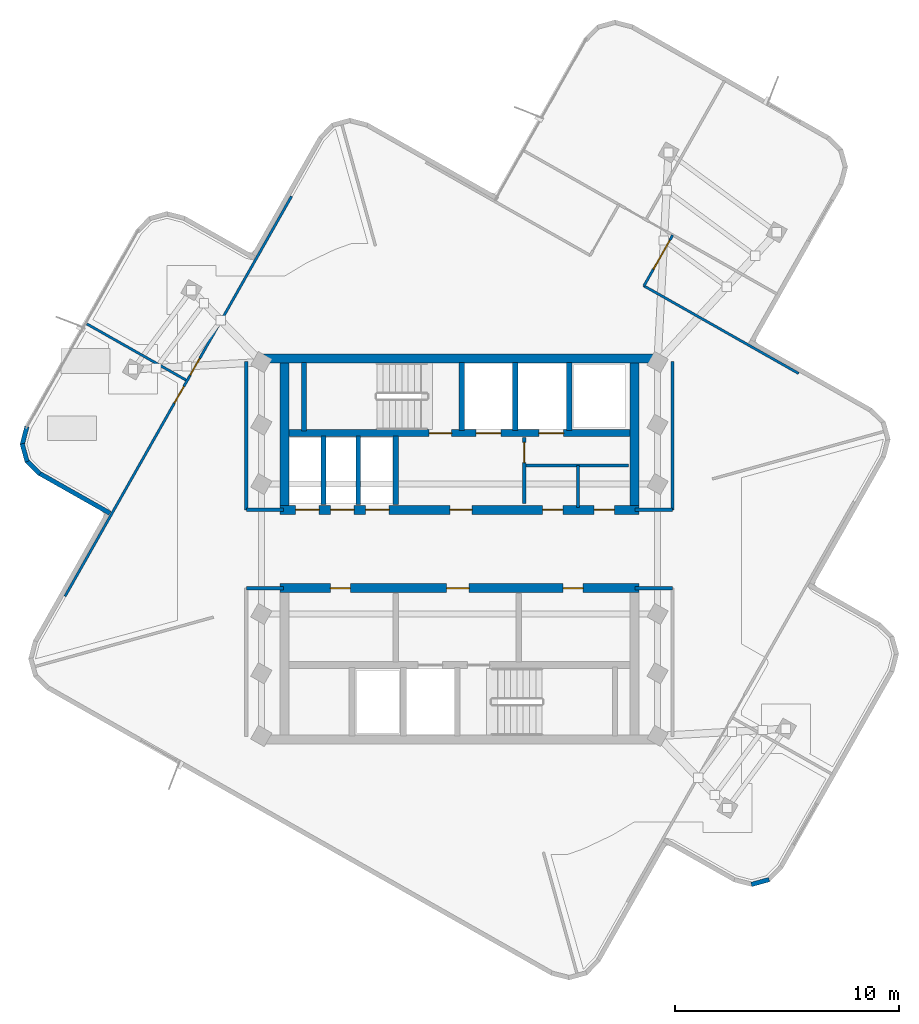
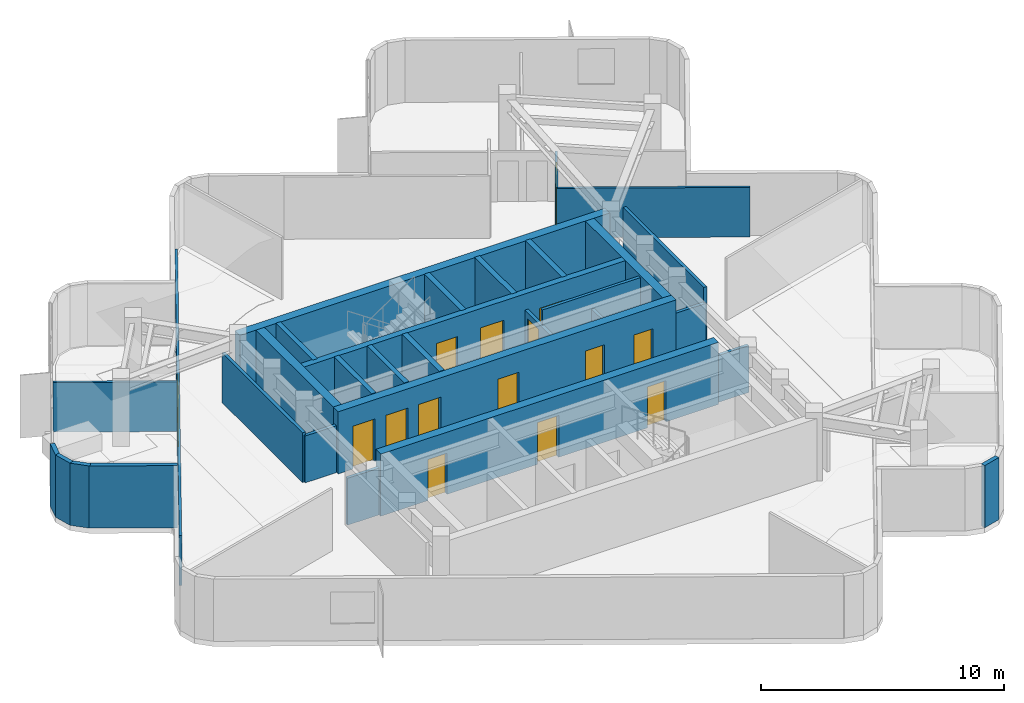
# One storey, part 6 of 11: 31 walls, 16 doors, 16 openings.
"""IFC4 building model written with IfcOpenShell, lengths in metres."""

import ifcopenshell
import ifcopenshell.guid

model = None  # the IFC model being written
_history = None  # IfcOwnerHistory: only IFC2X3 demands one
_inside = {}  # id of a spatial element -> (the spatial element, [elements in it])
_under = {}  # id of a project, library or spatial element -> (it, [spatial elements below it])
_declared = {}  # id of a project -> (the project, [libraries it declares])
_typed = {}  # id of a type object -> (the type object, [elements of that type])
_made_of = {}  # id of a material, layer set ... -> (it, [elements and type objects made of it])


def new_model(schema):
    """Start an empty IFC model of exactly this schema.

    Asked for "IFC4X3", IfcOpenShell would pick the latest addendum, in which some entities
    have other attributes; the version numbers below select the first issue.
    IFC2X3 requires an IfcOwnerHistory on every rooted entity: one is made here for all.
    """
    global model, _history
    if schema == "IFC4X3":
        model = ifcopenshell.file(schema_version=(4, 3, 0, 0))
    else:
        model = ifcopenshell.file(schema=schema)
    _inside.clear()
    _under.clear()
    _declared.clear()
    _typed.clear()
    _made_of.clear()
    _history = None
    if model.schema == "IFC2X3":
        org = make("IfcOrganization", Name="unknown")
        user = make(
            "IfcPersonAndOrganization",
            ThePerson=make("IfcPerson", FamilyName="unknown"),
            TheOrganization=org,
        )
        app = make(
            "IfcApplication",
            ApplicationDeveloper=org,
            Version="unknown",
            ApplicationFullName="unknown",
            ApplicationIdentifier="unknown",
        )
        _history = make(
            "IfcOwnerHistory",
            OwningUser=user,
            OwningApplication=app,
            ChangeAction="ADDED",
            CreationDate=0,
        )
    return model


def make(cls, **values):
    """One entity of the class cls with the attributes given. An attribute that is None is left unset."""
    return model.create_entity(
        cls, **{name: value for name, value in values.items() if value is not None}
    )


def rooted(cls, **values):
    """An entity with a GlobalId (a new one), such as an element, a storey or a relation."""
    return make(cls, GlobalId=ifcopenshell.guid.new(), OwnerHistory=_history, **values)


def si_unit(unit_type, name, prefix=None):
    """IfcSIUnit, for example si_unit("LENGTHUNIT", "METRE", prefix="MILLI")."""
    return make("IfcSIUnit", UnitType=unit_type, Prefix=prefix, Name=name)


def assignment(units):
    """IfcUnitAssignment: the units of a project."""
    return None if units is None else make("IfcUnitAssignment", Units=units)


def point(xyz):
    """IfcCartesianPoint."""
    return None if xyz is None else make("IfcCartesianPoint", Coordinates=xyz)


def direction(xyz):
    """IfcDirection."""
    return None if xyz is None else make("IfcDirection", DirectionRatios=xyz)


def frame(location, z_axis=None, x_axis=None):
    """IfcAxis2Placement3D, a coordinate frame: its origin and axes. An axis left out is left unset."""
    return make(
        "IfcAxis2Placement3D",
        Location=point(location),
        Axis=direction(z_axis),
        RefDirection=direction(x_axis),
    )


def frame_2d(location, x_axis=None):
    """IfcAxis2Placement2D, a coordinate frame in the plane: its origin and x axis."""
    return make(
        "IfcAxis2Placement2D", Location=point(location), RefDirection=direction(x_axis)
    )


def origin():
    """The frame at (0, 0, 0) with its axes left unset."""
    return frame((0.0, 0.0, 0.0))


def place(relative_to, where):
    """IfcLocalPlacement: puts the frame where relative to a parent placement (None: the world)."""
    return make(
        "IfcLocalPlacement", PlacementRelTo=relative_to, RelativePlacement=where
    )


def context(
    kind, dimensions, precision=None, world=None, true_north=None, identifier=None
):
    """IfcGeometricRepresentationContext, for example the 3D "Model" context."""
    return make(
        "IfcGeometricRepresentationContext",
        ContextIdentifier=identifier,
        ContextType=kind,
        CoordinateSpaceDimension=dimensions,
        Precision=precision,
        WorldCoordinateSystem=world,
        TrueNorth=true_north,
    )


def subcontext(parent, identifier, kind, view, scale=None):
    """IfcGeometricRepresentationSubContext, for example "Body" below "Model"."""
    return make(
        "IfcGeometricRepresentationSubContext",
        ContextIdentifier=identifier,
        ContextType=kind,
        ParentContext=parent,
        TargetScale=scale,
        TargetView=view,
    )


def project(units=None, contexts=None):
    """IfcProject with its units and contexts."""
    return rooted(
        "IfcProject",
        Name="project",
        RepresentationContexts=contexts,
        UnitsInContext=assignment(units),
    )


def spatial(cls, under=None, at=None, **own):
    """A site, building, storey or space (cls), placed at a placement, below another one or the project."""
    s = rooted(cls, ObjectPlacement=at, **own)
    if under is not None:
        _under.setdefault(under.id(), (under, []))[1].append(s)
    return s


def profile(cls, at=None, kind="AREA", **sizes):
    """A parametric profile (cls). Its sizes go by their IFC names, for example OverallWidth=200.0."""
    return make(cls, ProfileType=kind, Position=at, **sizes)


def rectangle(**sizes):
    """IfcRectangleProfileDef."""
    return profile("IfcRectangleProfileDef", **sizes)


def extrude(swept, where, along, depth):
    """IfcExtrudedAreaSolid: the profile swept, set in the frame where, extruded along a direction by depth."""
    return make(
        "IfcExtrudedAreaSolid",
        SweptArea=swept,
        Position=where,
        ExtrudedDirection=direction(along),
        Depth=depth,
    )


def shape(context_of_items, identifier, shape_type, items):
    """IfcShapeRepresentation: the items that make up one representation, for example the "Body"."""
    return make(
        "IfcShapeRepresentation",
        ContextOfItems=context_of_items,
        RepresentationIdentifier=identifier,
        RepresentationType=shape_type,
        Items=items,
    )


def material(Name=None, Category=None):
    """IfcMaterial."""
    return make("IfcMaterial", Name=Name, Category=Category)


def layer(
    of_material, thickness, ventilated=None, Name=None, Category=None, Priority=None
):
    """IfcMaterialLayer: one layer of a wall or slab, of a material (None: an air gap)."""
    return make(
        "IfcMaterialLayer",
        Material=of_material,
        LayerThickness=thickness,
        IsVentilated=ventilated,
        Name=Name,
        Category=Category,
        Priority=Priority,
    )


def layer_set(layers, Name=None):
    """IfcMaterialLayerSet."""
    return make("IfcMaterialLayerSet", MaterialLayers=layers, LayerSetName=Name)


def made_of(thing, what):
    """Note that an element or type object is made of a material, layer set ...; save() writes the relation."""
    if what is not None:
        _made_of.setdefault(what.id(), (what, []))[1].append(thing)
    return thing


def type_object(cls, material=None, **own):
    """A type object (cls), such as IfcWallType, which elements share."""
    return made_of(rooted(cls, **own), material)


def element(
    cls,
    number,
    at=None,
    inside=None,
    cuts=None,
    type_object=None,
    material=None,
    context=None,
    identifier="Body",
    shape_type=None,
    held_by="IfcProductDefinitionShape",
    body=None,
    shapes=None,
    **own,
):
    """One element of the class cls, such as IfcWall. Its Tag is "e" and its number.

    at: its placement. inside: the storey or other place that contains it. cuts: it is an
    opening in that element (IfcRelVoidsElement). A single representation is given by context,
    identifier, shape_type and body (its items); several are given by shapes. held_by: the class
    of the entity that holds the representations. save() writes the other relations.
    """
    e = rooted(cls, Tag="e%d" % number, ObjectPlacement=at, **own)
    if body is not None:
        shapes = [shape(context, identifier, shape_type, body)]
    if shapes is not None:
        e.Representation = make(held_by, Representations=shapes)
    if inside is not None:
        _inside.setdefault(inside.id(), (inside, []))[1].append(e)
    if cuts is not None:
        rooted(
            "IfcRelVoidsElement", RelatingBuildingElement=cuts, RelatedOpeningElement=e
        )
    if type_object is not None:
        _typed.setdefault(type_object.id(), (type_object, []))[1].append(e)
    return made_of(e, material)


def fill(opening, filler):
    """IfcRelFillsElement: the door or window that sits in an opening."""
    return rooted(
        "IfcRelFillsElement",
        RelatingOpeningElement=opening,
        RelatedBuildingElement=filler,
    )


def aggregate(whole, parts):
    """IfcRelAggregates: a whole, such as a stair, and the parts it consists of."""
    return rooted("IfcRelAggregates", RelatingObject=whole, RelatedObjects=parts)


def save(model, path):
    """Write the relations noted so far, then the file.

    IfcRelAggregates (storeys below a building ...), IfcRelContainedInSpatialStructure (elements
    in a storey), IfcRelDefinesByType, IfcRelAssociatesMaterial and IfcRelDeclares: one each for
    every whole, place, type object, material and project.
    """
    for whole, parts in _under.values():
        aggregate(whole, parts)
    for where, things in _inside.values():
        rooted(
            "IfcRelContainedInSpatialStructure",
            RelatedElements=things,
            RelatingStructure=where,
        )
    for kind, things in _typed.values():
        rooted("IfcRelDefinesByType", RelatedObjects=things, RelatingType=kind)
    for what, things in _made_of.values():
        rooted("IfcRelAssociatesMaterial", RelatedObjects=things, RelatingMaterial=what)
    for by, libraries in _declared.values():
        rooted("IfcRelDeclares", RelatingContext=by, RelatedDefinitions=libraries)
    model.write(path)


model = new_model("IFC4")

# Units and contexts
model_context = context("Model", 3, precision=1e-05, world=origin(), true_north=direction((0.0, 1.0)))
body_context = subcontext(model_context, "Body", "Model", "MODEL_VIEW")
ifc_project = project(units=[si_unit("LENGTHUNIT", "METRE"), si_unit("AREAUNIT", "SQUARE_METRE"), si_unit("VOLUMEUNIT", "CUBIC_METRE"), si_unit("PLANEANGLEUNIT", "RADIAN"), si_unit("MASSUNIT", "GRAM", prefix="KILO")], contexts=[model_context])

# Site, building, storey
site_placement = place(None, origin())
site = spatial("IfcSite", under=ifc_project, at=site_placement, CompositionType="ELEMENT")
building_placement = place(site_placement, origin())
building = spatial("IfcBuilding", under=site, at=building_placement, Name="Solmarez Civic Tower", CompositionType="ELEMENT")
storey_placement = place(building_placement, frame((0.0, 0.0, 281.699951171875)))
storey = spatial("IfcBuildingStorey", under=building, at=storey_placement, Name="L76", CompositionType="ELEMENT", Elevation=281.699951171875)

# Wall
ifc_material_1 = material(Name="Concrete C50/60", Category="concrete")
ifc_layer_1 = layer(ifc_material_1, 0.39990234375)
ifc_layer_set_1 = layer_set([ifc_layer_1], Name="Concrete C50/60")
wall_type_1 = type_object("IfcWallType", Name="WALL-CORE-400", PredefinedType="SHEAR", material=ifc_layer_set_1)
wall_1_placement = place(storey_placement, frame((-8.780029296875, 8.510009765625, 0.0), z_axis=(0.0, 0.0, 1.0), x_axis=(1.0, 0.0, 0.0)))
element("IfcWall", 1, at=wall_1_placement, inside=storey, type_object=wall_type_1, Name="L76 Split-Core Structural Wall NCW-N-L76", PredefinedType="SHEAR", context=body_context, shape_type="SweptSolid", body=[
    extrude(rectangle(XDim=17.56005859375, YDim=0.39990234375, at=frame_2d((8.780029296875, 0.0))), origin(), (0.0, 0.0, 1.0), 3.1201171875),
])

# Wall, openings, doors
wall_2_placement = place(storey_placement, frame((8.02001953125, 1.75, 0.0), z_axis=(0.0, 0.0, 1.0), x_axis=(-1.0, 0.0, 0.0)))
wall_2 = element("IfcWall", 2, at=wall_2_placement, inside=storey, type_object=wall_type_1, Name="L76 Split-Core Structural Wall NCW-S-L76", PredefinedType="SHEAR", context=body_context, shape_type="SweptSolid", body=[
    extrude(rectangle(XDim=16.0400390625, YDim=0.39990234375, at=frame_2d((8.02001953125, 0.0))), origin(), (0.0, 0.0, 1.0), 3.1201171875),
])
opening_1_placement = place(wall_2_placement, frame((7.449951171875, 0.0, 0.0)))
opening_1 = element("IfcOpeningElement", 3, at=opening_1_placement, cuts=wall_2, Name="Opening D-04", PredefinedType="OPENING", context=body_context, shape_type="SweptSolid", body=[
    extrude(rectangle(XDim=1.0, YDim=2.10009765625, at=frame_2d((0.5, 1.050048828125))), frame((0.0, 0.2099609375, 0.0), z_axis=(0.0, -1.0, 0.0), x_axis=(1.0, 0.0, 0.0)), (0.0, 0.0, 1.0), 0.419921875),
])
opening_2_placement = place(wall_2_placement, frame((14.284912109375, 0.0, 0.0)))
opening_2 = element("IfcOpeningElement", 4, at=opening_2_placement, cuts=wall_2, Name="Opening LD-01", PredefinedType="OPENING", context=body_context, shape_type="SweptSolid", body=[
    extrude(rectangle(XDim=1.050048828125, YDim=2.14990234375, at=frame_2d((0.52490234375, 1.074951171875))), frame((0.0, 0.2099609375, 0.0), z_axis=(0.0, -1.0, 0.0), x_axis=(1.0, 0.0, 0.0)), (0.0, 0.0, 1.0), 0.419921875),
])
opening_3_placement = place(wall_2_placement, frame((12.72509765625, 0.0, 0.0)))
opening_3 = element("IfcOpeningElement", 5, at=opening_3_placement, cuts=wall_2, Name="Opening LD-01", PredefinedType="OPENING", context=body_context, shape_type="SweptSolid", body=[
    extrude(rectangle(XDim=1.050048828125, YDim=2.14990234375, at=frame_2d((0.52490234375, 1.074951171875))), frame((0.0, 0.2099609375, 0.0), z_axis=(0.0, -1.0, 0.0), x_axis=(1.0, 0.0, 0.0)), (0.0, 0.0, 1.0), 0.419921875),
])
opening_4_placement = place(wall_2_placement, frame((11.1650390625, 0.0, 0.0)))
opening_4 = element("IfcOpeningElement", 6, at=opening_4_placement, cuts=wall_2, Name="Opening LD-01", PredefinedType="OPENING", context=body_context, shape_type="SweptSolid", body=[
    extrude(rectangle(XDim=1.050048828125, YDim=2.14990234375, at=frame_2d((0.52490234375, 1.074951171875))), frame((0.0, 0.2099609375, 0.0), z_axis=(0.0, -1.0, 0.0), x_axis=(1.0, 0.0, 0.0)), (0.0, 0.0, 1.0), 0.419921875),
])
opening_5_placement = place(wall_2_placement, frame((3.39990234375, 0.0, 0.0)))
opening_5 = element("IfcOpeningElement", 7, at=opening_5_placement, cuts=wall_2, Name="Opening D-09", PredefinedType="OPENING", context=body_context, shape_type="SweptSolid", body=[
    extrude(rectangle(XDim=0.89990234375, YDim=2.06005859375, at=frame_2d((0.449951171875, 1.030029296875))), frame((0.0, 0.2099609375, 0.0), z_axis=(0.0, -1.0, 0.0), x_axis=(1.0, 0.0, 0.0)), (0.0, 0.0, 1.0), 0.419921875),
])
opening_6_placement = place(wall_2_placement, frame((1.10009765625, 0.0, 0.0)))
opening_6 = element("IfcOpeningElement", 8, at=opening_6_placement, cuts=wall_2, Name="Opening D-09", PredefinedType="OPENING", context=body_context, shape_type="SweptSolid", body=[
    extrude(rectangle(XDim=0.89990234375, YDim=2.06005859375, at=frame_2d((0.449951171875, 1.030029296875))), frame((0.0, 0.2099609375, 0.0), z_axis=(0.0, -1.0, 0.0), x_axis=(1.0, 0.0, 0.0)), (0.0, 0.0, 1.0), 0.419921875),
])
ifc_material_2 = material(Name="Steel-Faced Acoustic Fire Door", Category="steel")
door_type_1 = type_object("IfcDoorType", Name="DOOR-FD60-1000", OperationType="NOTDEFINED", PredefinedType="DOOR", material=ifc_material_2)
door_1_placement = place(opening_1_placement, origin())
door_1 = element("IfcDoor", 9, at=door_1_placement, inside=storey, type_object=door_type_1, Name="L76 North Firefighting Lobby Door", OperationType="SINGLE_SWING_LEFT", OverallHeight=2.10009765625, OverallWidth=1.0, PredefinedType="DOOR", context=body_context, shape_type="SweptSolid", body=[
    extrude(rectangle(XDim=1.0, YDim=2.10009765625, at=frame_2d((0.5, 1.050048828125))), frame((0.0, 0.02490234375, 0.0), z_axis=(0.0, -1.0, 0.0), x_axis=(1.0, 0.0, 0.0)), (0.0, 0.0, 1.0), 0.050048828125),
])
fill(opening_1, door_1)
ifc_material_3 = material(Name="Fire-Rated Service Core Door", Category="wood")
door_type_2 = type_object("IfcDoorType", Name="DOOR-FD60-900", OperationType="NOTDEFINED", PredefinedType="DOOR", material=ifc_material_3)
door_2_placement = place(opening_5_placement, origin())
door_2 = element("IfcDoor", 10, at=door_2_placement, inside=storey, type_object=door_type_2, Name="L76 Core WC Door", OperationType="SINGLE_SWING_LEFT", OverallHeight=2.06005859375, OverallWidth=0.89990234375, PredefinedType="DOOR", context=body_context, shape_type="SweptSolid", body=[
    extrude(rectangle(XDim=0.89990234375, YDim=2.06005859375, at=frame_2d((0.449951171875, 1.030029296875))), frame((0.0, 0.02490234375, 0.0), z_axis=(0.0, -1.0, 0.0), x_axis=(1.0, 0.0, 0.0)), (0.0, 0.0, 1.0), 0.050048828125),
])
fill(opening_5, door_2)
door_3_placement = place(opening_6_placement, origin())
door_3 = element("IfcDoor", 11, at=door_3_placement, inside=storey, type_object=door_type_2, Name="L76 Core CL Door", OperationType="SINGLE_SWING_RIGHT", OverallHeight=2.06005859375, OverallWidth=0.89990234375, PredefinedType="DOOR", context=body_context, shape_type="SweptSolid", body=[
    extrude(rectangle(XDim=0.89990234375, YDim=2.06005859375, at=frame_2d((0.449951171875, 1.030029296875))), frame((0.0, 0.02490234375, 0.0), z_axis=(0.0, -1.0, 0.0), x_axis=(1.0, 0.0, 0.0)), (0.0, 0.0, 1.0), 0.050048828125),
])
fill(opening_6, door_3)
ifc_material_4 = material(Name="Bronze Passenger Lift Landing Sliding Door", Category="aluminium")
door_type_3 = type_object("IfcDoorType", Name="DOOR-LD-PAX-1050", OperationType="DOUBLE_DOOR_SLIDING", PredefinedType="DOOR", material=ifc_material_4)
door_4_placement = place(opening_2_placement, origin())
door_4 = element("IfcDoor", 12, at=door_4_placement, inside=storey, type_object=door_type_3, Name="L76 High-Rise Lift Landing Door PL-H1", OperationType="DOUBLE_DOOR_SLIDING", OverallHeight=2.14990234375, OverallWidth=1.050048828125, PredefinedType="DOOR", context=body_context, shape_type="SweptSolid", body=[
    extrude(rectangle(XDim=1.050048828125, YDim=2.14990234375, at=frame_2d((0.52490234375, 1.074951171875))), frame((0.0, 0.02490234375, 0.0), z_axis=(0.0, -1.0, 0.0), x_axis=(1.0, 0.0, 0.0)), (0.0, 0.0, 1.0), 0.050048828125),
])
fill(opening_2, door_4)
door_5_placement = place(opening_3_placement, origin())
door_5 = element("IfcDoor", 13, at=door_5_placement, inside=storey, type_object=door_type_3, Name="L76 High-Rise Lift Landing Door PL-H2", OperationType="DOUBLE_DOOR_SLIDING", OverallHeight=2.14990234375, OverallWidth=1.050048828125, PredefinedType="DOOR", context=body_context, shape_type="SweptSolid", body=[
    extrude(rectangle(XDim=1.050048828125, YDim=2.14990234375, at=frame_2d((0.52490234375, 1.074951171875))), frame((0.0, 0.02490234375, 0.0), z_axis=(0.0, -1.0, 0.0), x_axis=(1.0, 0.0, 0.0)), (0.0, 0.0, 1.0), 0.050048828125),
])
fill(opening_3, door_5)
door_6_placement = place(opening_4_placement, origin())
door_6 = element("IfcDoor", 14, at=door_6_placement, inside=storey, type_object=door_type_3, Name="L76 High-Rise Lift Landing Door PL-H3", OperationType="DOUBLE_DOOR_SLIDING", OverallHeight=2.14990234375, OverallWidth=1.050048828125, PredefinedType="DOOR", context=body_context, shape_type="SweptSolid", body=[
    extrude(rectangle(XDim=1.050048828125, YDim=2.14990234375, at=frame_2d((0.52490234375, 1.074951171875))), frame((0.0, 0.02490234375, 0.0), z_axis=(0.0, -1.0, 0.0), x_axis=(1.0, 0.0, 0.0)), (0.0, 0.0, 1.0), 0.050048828125),
])
fill(opening_4, door_6)

# Walls
for number, where, z_axis, x_axis, name in (
    (15, (-7.820068359375, 1.949951171875, 0.0), (0.0, 0.0, 1.0), (0.0, 1.0, 0.0), "L76 Split-Core Structural Wall NCW-W-L76"),
    (16, (7.820068359375, 8.31005859375, 0.0), (0.0, 0.0, 1.0), (0.0, -1.0, 0.0), "L76 Split-Core Structural Wall NCW-E-L76"),
):
    element("IfcWall", number, at=place(storey_placement, frame(where, z_axis=z_axis, x_axis=x_axis)), inside=storey, type_object=wall_type_1, Name=name, PredefinedType="SHEAR", context=body_context, shape_type="SweptSolid", body=[
        extrude(rectangle(XDim=6.360107421875, YDim=0.39990234375, at=frame_2d((3.18017578125, 0.0))), origin(), (0.0, 0.0, 1.0), 3.1201171875),
    ])

# Wall, openings, doors
wall_3_placement = place(storey_placement, frame((-8.02001953125, -1.75, 0.0), z_axis=(0.0, 0.0, 1.0), x_axis=(1.0, 0.0, 0.0)))
wall_3 = element("IfcWall", 17, at=wall_3_placement, inside=storey, type_object=wall_type_1, Name="L76 Split-Core Structural Wall SCW-N-L76", PredefinedType="SHEAR", context=body_context, shape_type="SweptSolid", body=[
    extrude(rectangle(XDim=16.0400390625, YDim=0.39990234375, at=frame_2d((8.02001953125, 0.0))), origin(), (0.0, 0.0, 1.0), 3.1201171875),
])
opening_7_placement = place(wall_3_placement, frame((7.449951171875, 0.0, 0.0)))
opening_7 = element("IfcOpeningElement", 18, at=opening_7_placement, cuts=wall_3, Name="Opening D-04", PredefinedType="OPENING", context=body_context, shape_type="SweptSolid", body=[
    extrude(rectangle(XDim=1.0, YDim=2.10009765625, at=frame_2d((0.5, 1.050048828125))), frame((0.0, 0.2099609375, 0.0), z_axis=(0.0, -1.0, 0.0), x_axis=(1.0, 0.0, 0.0)), (0.0, 0.0, 1.0), 0.419921875),
])
opening_8_placement = place(wall_3_placement, frame((12.64990234375, 0.0, 0.0)))
opening_8 = element("IfcOpeningElement", 19, at=opening_8_placement, cuts=wall_3, Name="Opening D-09", PredefinedType="OPENING", context=body_context, shape_type="SweptSolid", body=[
    extrude(rectangle(XDim=0.89990234375, YDim=2.06005859375, at=frame_2d((0.449951171875, 1.030029296875))), frame((0.0, 0.2099609375, 0.0), z_axis=(0.0, -1.0, 0.0), x_axis=(1.0, 0.0, 0.0)), (0.0, 0.0, 1.0), 0.419921875),
])
opening_9_placement = place(wall_3_placement, frame((2.25, 0.0, 0.0)))
opening_9 = element("IfcOpeningElement", 20, at=opening_9_placement, cuts=wall_3, Name="Opening D-09", PredefinedType="OPENING", context=body_context, shape_type="SweptSolid", body=[
    extrude(rectangle(XDim=0.89990234375, YDim=2.06005859375, at=frame_2d((0.449951171875, 1.030029296875))), frame((0.0, 0.2099609375, 0.0), z_axis=(0.0, -1.0, 0.0), x_axis=(1.0, 0.0, 0.0)), (0.0, 0.0, 1.0), 0.419921875),
])
door_7_placement = place(opening_7_placement, origin())
door_7 = element("IfcDoor", 21, at=door_7_placement, inside=storey, type_object=door_type_1, Name="L76 South Firefighting Lobby Door", OperationType="SINGLE_SWING_RIGHT", OverallHeight=2.10009765625, OverallWidth=1.0, PredefinedType="DOOR", context=body_context, shape_type="SweptSolid", body=[
    extrude(rectangle(XDim=1.0, YDim=2.10009765625, at=frame_2d((0.5, 1.050048828125))), frame((0.0, 0.02490234375, 0.0), z_axis=(0.0, -1.0, 0.0), x_axis=(1.0, 0.0, 0.0)), (0.0, 0.0, 1.0), 0.050048828125),
])
fill(opening_7, door_7)
door_8_placement = place(opening_8_placement, origin())
door_8 = element("IfcDoor", 22, at=door_8_placement, inside=storey, type_object=door_type_2, Name="L76 Freed Hoistway Mailroom Door", OperationType="SINGLE_SWING_LEFT", OverallHeight=2.06005859375, OverallWidth=0.89990234375, PredefinedType="DOOR", context=body_context, shape_type="SweptSolid", body=[
    extrude(rectangle(XDim=0.89990234375, YDim=2.06005859375, at=frame_2d((0.449951171875, 1.030029296875))), frame((0.0, 0.02490234375, 0.0), z_axis=(0.0, -1.0, 0.0), x_axis=(1.0, 0.0, 0.0)), (0.0, 0.0, 1.0), 0.050048828125),
])
fill(opening_8, door_8)
door_9_placement = place(opening_9_placement, origin())
door_9 = element("IfcDoor", 23, at=door_9_placement, inside=storey, type_object=door_type_2, Name="L76 Delegation Tea Pantry Door", OperationType="SINGLE_SWING_RIGHT", OverallHeight=2.06005859375, OverallWidth=0.89990234375, PredefinedType="DOOR", context=body_context, shape_type="SweptSolid", body=[
    extrude(rectangle(XDim=0.89990234375, YDim=2.06005859375, at=frame_2d((0.449951171875, 1.030029296875))), frame((0.0, 0.02490234375, 0.0), z_axis=(0.0, -1.0, 0.0), x_axis=(1.0, 0.0, 0.0)), (0.0, 0.0, 1.0), 0.050048828125),
])
fill(opening_9, door_9)

# Walls
ifc_material_5 = material(Name="Precast concrete C40/50", Category="concrete")
ifc_layer_2 = layer(ifc_material_5, 0.199951171875)
ifc_layer_set_2 = layer_set([ifc_layer_2], Name="Precast concrete C40/50")
wall_type_2 = type_object("IfcWallType", Name="WALL-EXT-200", PredefinedType="SOLIDWALL", material=ifc_layer_set_2)
wall_4_placement = place(storey_placement, frame((-15.60888671875, 1.59912109375, 0.0), z_axis=(0.0, 0.0, 1.0), x_axis=(-0.87036421417, 0.49240850388, 0.0)))
element("IfcWall", 24, at=wall_4_placement, inside=storey, type_object=wall_type_2, Name="L76 Exterior Precast Wall 13", PredefinedType="SOLIDWALL", context=body_context, shape_type="SweptSolid", body=[
    extrude(rectangle(XDim=3.64111328125, YDim=0.199951171875, at=frame_2d((1.820556640625, 0.0))), origin(), (0.0, 0.0, 1.0), 3.1201171875),
])
wall_5_placement = place(storey_placement, frame((-18.738037109375, 3.362060546875, 0.0), z_axis=(0.0, 0.0, 1.0), x_axis=(-0.712468358306, 0.70170423856, 0.0)))
element("IfcWall", 25, at=wall_5_placement, inside=storey, type_object=wall_type_2, Name="L76 Exterior Precast Wall 14", PredefinedType="SOLIDWALL", context=body_context, shape_type="SweptSolid", body=[
    extrude(rectangle(XDim=0.839111328125, YDim=0.199951171875, at=frame_2d((0.41943359375, 0.0))), origin(), (0.0, 0.0, 1.0), 3.1201171875),
])
wall_6_placement = place(storey_placement, frame((-19.31103515625, 3.908935546875, 0.0), z_axis=(0.0, 0.0, 1.0), x_axis=(-0.267720149776, 0.963496715824, 0.0)))
element("IfcWall", 26, at=wall_6_placement, inside=storey, type_object=wall_type_2, Name="L76 Exterior Precast Wall 15", PredefinedType="SOLIDWALL", context=body_context, shape_type="SweptSolid", body=[
    extrude(rectangle(XDim=0.8251953125, YDim=0.199951171875, at=frame_2d((0.41259765625, 0.0))), origin(), (0.0, 0.0, 1.0), 3.1201171875),
])
wall_7_placement = place(storey_placement, frame((-19.531005859375, 4.656005859375, 0.0), z_axis=(0.0, 0.0, 1.0), x_axis=(0.250618286331, 0.968085985105, 0.0)))
element("IfcWall", 27, at=wall_7_placement, inside=storey, type_object=wall_type_2, Name="L76 Exterior Precast Wall 16", PredefinedType="SOLIDWALL", context=body_context, shape_type="SweptSolid", body=[
    extrude(rectangle(XDim=0.837890625, YDim=0.199951171875, at=frame_2d((0.4189453125, 0.0))), origin(), (0.0, 0.0, 1.0), 3.1201171875),
])
wall_8_placement = place(storey_placement, frame((13.8349609375, -14.763916015625, 0.0), z_axis=(0.0, 0.0, 1.0), x_axis=(-0.963780368541, -0.266697208862, 0.0)))
element("IfcWall", 28, at=wall_8_placement, inside=storey, type_object=wall_type_2, Name="L76 Exterior Precast Wall 55", PredefinedType="SOLIDWALL", context=body_context, shape_type="SweptSolid", body=[
    extrude(rectangle(XDim=0.82470703125, YDim=0.199951171875, at=frame_2d((0.412353515625, 0.0))), origin(), (0.0, 0.0, 1.0), 3.1201171875),
])
ifc_material_6 = material(Name="Gypsum Board Acoustic Steel-Stud Partition", Category="steel")
ifc_layer_3 = layer(ifc_material_6, 0.14990234375)
ifc_layer_set_3 = layer_set([ifc_layer_3], Name="Gypsum Board Acoustic Steel-Stud Partition")
wall_type_3 = type_object("IfcWallType", Name="WALL-INT-FIRE-150", PredefinedType="PARTITIONING", material=ifc_layer_set_3)
wall_9_placement = place(storey_placement, frame((-9.52001953125, 1.75, 0.0), z_axis=(0.0, 0.0, 1.0), x_axis=(0.0, 1.0, 0.0)))
element("IfcWall", 29, at=wall_9_placement, inside=storey, type_object=wall_type_3, Name="L76 Interior Partition CHW-L76-WN1", PredefinedType="PARTITIONING", context=body_context, shape_type="SweptSolid", body=[
    extrude(rectangle(XDim=6.6298828125, YDim=0.14990234375, at=frame_2d((3.31494140625, 0.0))), origin(), (0.0, 0.0, 1.0), 2.489990234375),
])
for number, where, z_axis, x_axis, name in (
    (30, (-7.85009765625, 1.75, 0.0), (0.0, 0.0, 1.0), (-1.0, 0.0, 0.0), "L76 Interior Partition CHW-L76-WN3"),
    (31, (-7.85009765625, -1.75, 0.0), (0.0, 0.0, 1.0), (-1.0, 0.0, 0.0), "L76 Interior Partition CHW-L76-WS3"),
):
    element("IfcWall", number, at=place(storey_placement, frame(where, z_axis=z_axis, x_axis=x_axis)), inside=storey, type_object=wall_type_3, Name=name, PredefinedType="PARTITIONING", context=body_context, shape_type="SweptSolid", body=[
        extrude(rectangle(XDim=1.669921875, YDim=0.14990234375, at=frame_2d((0.8349609375, 0.0))), origin(), (0.0, 0.0, 1.0), 2.35009765625),
    ])
wall_10_placement = place(storey_placement, frame((9.52001953125, 1.75, 0.0), z_axis=(0.0, 0.0, 1.0), x_axis=(0.0, 1.0, 0.0)))
element("IfcWall", 32, at=wall_10_placement, inside=storey, type_object=wall_type_3, Name="L76 Interior Partition CHW-L76-EN1", PredefinedType="PARTITIONING", context=body_context, shape_type="SweptSolid", body=[
    extrude(rectangle(XDim=6.6298828125, YDim=0.14990234375, at=frame_2d((3.31494140625, 0.0))), origin(), (0.0, 0.0, 1.0), 3.1201171875),
])
for number, where, z_axis, x_axis, name in (
    (33, (7.85009765625, 1.75, 0.0), (0.0, 0.0, 1.0), (1.0, 0.0, 0.0), "L76 Interior Partition CHW-L76-EN3"),
    (34, (7.85009765625, -1.75, 0.0), (0.0, 0.0, 1.0), (1.0, 0.0, 0.0), "L76 Interior Partition CHW-L76-ES3"),
):
    element("IfcWall", number, at=place(storey_placement, frame(where, z_axis=z_axis, x_axis=x_axis)), inside=storey, type_object=wall_type_3, Name=name, PredefinedType="PARTITIONING", context=body_context, shape_type="SweptSolid", body=[
        extrude(rectangle(XDim=1.669921875, YDim=0.14990234375, at=frame_2d((0.8349609375, 0.0))), origin(), (0.0, 0.0, 1.0), 2.35009765625),
    ])
ifc_layer_4 = layer(ifc_material_6, 0.110107421875)
ifc_layer_set_4 = layer_set([ifc_layer_4], Name="Gypsum Board Acoustic Steel-Stud Partition")
wall_type_4 = type_object("IfcWallType", Name="WALL-INT-PART-110", PredefinedType="PARTITIONING", material=ifc_layer_set_4)
wall_11_placement = place(storey_placement, frame((15.152099609375, 7.843017578125, 0.0), z_axis=(0.0, 0.0, 1.0), x_axis=(-0.87023152106, 0.492642973921, 0.0)))
element("IfcWall", 35, at=wall_11_placement, inside=storey, type_object=wall_type_4, Name="L76 Interior Partition PT-L76-E-EFR", PredefinedType="PARTITIONING", context=body_context, shape_type="SweptSolid", body=[
    extrude(rectangle(XDim=7.950927734375, YDim=0.110107421875, at=frame_2d((3.9755859375, 0.0))), origin(), (0.0, 0.0, 1.0), 2.489990234375),
])

# Wall, opening, door
wall_12_placement = place(storey_placement, frame((8.241943359375, 11.7548828125, 0.0), z_axis=(0.0, 0.0, 1.0), x_axis=(0.492790693409, 0.870147879667, 0.0)))
wall_12 = element("IfcWall", 36, at=wall_12_placement, inside=storey, type_object=wall_type_4, Name="L76 Interior Partition PT-L76-E-SR", PredefinedType="PARTITIONING", context=body_context, shape_type="SweptSolid", body=[
    extrude(rectangle(XDim=2.60986328125, YDim=0.110107421875, at=frame_2d((1.304931640625, 0.0))), origin(), (0.0, 0.0, 1.0), 2.489990234375),
])
opening_10_placement = place(wall_12_placement, frame((0.85498046875, 0.0, 0.0)))
opening_10 = element("IfcOpeningElement", 37, at=opening_10_placement, cuts=wall_12, Name="Opening D-16", PredefinedType="OPENING", context=body_context, shape_type="SweptSolid", body=[
    extrude(rectangle(XDim=1.5, YDim=2.1201171875, at=frame_2d((0.75, 1.06005859375))), frame((0.0, 0.06494140625, 0.0), z_axis=(0.0, -1.0, 0.0), x_axis=(1.0, 0.0, 0.0)), (0.0, 0.0, 1.0), 0.130126953125),
])
ifc_material_7 = material(Name="Diplomatic Protocol Reception Door", Category="wood")
door_type_4 = type_object("IfcDoorType", Name="DOOR-INT-1500", OperationType="NOTDEFINED", PredefinedType="DOOR", material=ifc_material_7)
door_10_placement = place(opening_10_placement, origin())
door_10 = element("IfcDoor", 38, at=door_10_placement, inside=storey, type_object=door_type_4, Name="L76 Counsel Administration Office East Door", OperationType="SINGLE_SWING_RIGHT", OverallHeight=2.1201171875, OverallWidth=1.5, PredefinedType="DOOR", context=body_context, shape_type="SweptSolid", body=[
    extrude(rectangle(XDim=1.5, YDim=2.1201171875, at=frame_2d((0.75, 1.06005859375))), frame((0.0, 0.02490234375, 0.0), z_axis=(0.0, -1.0, 0.0), x_axis=(1.0, 0.0, 0.0)), (0.0, 0.0, 1.0), 0.050048828125),
])
fill(opening_10, door_10)

# Wall
wall_13_placement = place(storey_placement, frame((-12.216064453125, 7.549072265625, 0.0), z_axis=(0.0, 0.0, 1.0), x_axis=(-0.870245204201, 0.492618802488, 0.0)))
element("IfcWall", 39, at=wall_13_placement, inside=storey, type_object=wall_type_4, Name="L76 Interior Partition PT-L76-N-ALM", PredefinedType="PARTITIONING", context=body_context, shape_type="SweptSolid", body=[
    extrude(rectangle(XDim=5.084716796875, YDim=0.110107421875, at=frame_2d((2.54248046875, 0.0))), origin(), (0.0, 0.0, 1.0), 2.489990234375),
])

# Wall, openings, doors
wall_14_placement = place(storey_placement, frame((-17.618896484375, -2.113037109375, 0.0), z_axis=(0.0, 0.0, 1.0), x_axis=(0.492746831558, 0.870172718482, 0.0)))
wall_14 = element("IfcWall", 40, at=wall_14_placement, inside=storey, type_object=wall_type_4, Name="L76 Interior Partition PT-L76-N-ENT", PredefinedType="PARTITIONING", context=body_context, shape_type="SweptSolid", body=[
    extrude(rectangle(XDim=20.53955078125, YDim=0.110107421875, at=frame_2d((10.269775390625, 0.0))), origin(), (0.0, 0.0, 1.0), 2.489990234375),
])
opening_11_placement = place(wall_14_placement, frame((11.360107421875, 0.0, 0.0)))
opening_11 = element("IfcOpeningElement", 41, at=opening_11_placement, cuts=wall_14, Name="Opening D-14", PredefinedType="OPENING", context=body_context, shape_type="SweptSolid", body=[
    extrude(rectangle(XDim=0.860107421875, YDim=2.0400390625, at=frame_2d((0.43017578125, 1.02001953125))), frame((0.0, 0.06494140625, 0.0), z_axis=(0.0, -1.0, 0.0), x_axis=(1.0, 0.0, 0.0)), (0.0, 0.0, 1.0), 0.130126953125),
])
opening_12_placement = place(wall_14_placement, frame((9.919921875, 0.0, 0.0)))
opening_12 = element("IfcOpeningElement", 42, at=opening_12_placement, cuts=wall_14, Name="Opening D-14", PredefinedType="OPENING", context=body_context, shape_type="SweptSolid", body=[
    extrude(rectangle(XDim=0.860107421875, YDim=2.0400390625, at=frame_2d((0.43017578125, 1.02001953125))), frame((0.0, 0.06494140625, 0.0), z_axis=(0.0, -1.0, 0.0), x_axis=(1.0, 0.0, 0.0)), (0.0, 0.0, 1.0), 0.130126953125),
])
ifc_material_8 = material(Name="Timber Storage and Pantry Door", Category="wood")
door_type_5 = type_object("IfcDoorType", Name="DOOR-INT-850", OperationType="NOTDEFINED", PredefinedType="DOOR", material=ifc_material_8)
door_11_placement = place(opening_11_placement, origin())
door_11 = element("IfcDoor", 43, at=door_11_placement, inside=storey, type_object=door_type_5, Name="L76 Public Reading Room Second North Door", OperationType="SINGLE_SWING_RIGHT", OverallHeight=2.0400390625, OverallWidth=0.860107421875, PredefinedType="DOOR", context=body_context, shape_type="SweptSolid", body=[
    extrude(rectangle(XDim=0.860107421875, YDim=2.0400390625, at=frame_2d((0.43017578125, 1.02001953125))), frame((0.0, 0.02490234375, 0.0), z_axis=(0.0, -1.0, 0.0), x_axis=(1.0, 0.0, 0.0)), (0.0, 0.0, 1.0), 0.050048828125),
])
fill(opening_11, door_11)
door_12_placement = place(opening_12_placement, origin())
door_12 = element("IfcDoor", 44, at=door_12_placement, inside=storey, type_object=door_type_5, Name="L76 Counsel Administration Office First North Door", OperationType="SINGLE_SWING_LEFT", OverallHeight=2.0400390625, OverallWidth=0.860107421875, PredefinedType="DOOR", context=body_context, shape_type="SweptSolid", body=[
    extrude(rectangle(XDim=0.860107421875, YDim=2.0400390625, at=frame_2d((0.43017578125, 1.02001953125))), frame((0.0, 0.02490234375, 0.0), z_axis=(0.0, -1.0, 0.0), x_axis=(1.0, 0.0, 0.0)), (0.0, 0.0, 1.0), 0.050048828125),
])
fill(opening_12, door_12)

# Wall, opening, door
ifc_layer_5 = layer(ifc_material_6, 0.159912109375)
ifc_layer_set_5 = layer_set([ifc_layer_5], Name="Gypsum Board Acoustic Steel-Stud Partition")
wall_type_5 = type_object("IfcWallType", Name="WALL-INT-SHAFT-160", PredefinedType="PARTITIONING", material=ifc_layer_set_5)
wall_15_placement = place(storey_placement, frame((2.89990234375, 2.0400390625, 0.0), z_axis=(0.0, 0.0, 1.0), x_axis=(0.0, 1.0, 0.0)))
wall_15 = element("IfcWall", 45, at=wall_15_placement, inside=storey, type_object=wall_type_5, Name="L76 Interior Partition SHW-NL2-L76", PredefinedType="PARTITIONING", context=body_context, shape_type="SweptSolid", body=[
    extrude(rectangle(XDim=2.93994140625, YDim=0.159912109375, at=frame_2d((1.469970703125, 0.0))), origin(), (0.0, 0.0, 1.0), 2.35009765625),
])
opening_13_placement = place(wall_15_placement, frame((1.820068359375, 0.0, 0.0)))
opening_13 = element("IfcOpeningElement", 46, at=opening_13_placement, cuts=wall_15, Name="Opening D-09", PredefinedType="OPENING", context=body_context, shape_type="SweptSolid", body=[
    extrude(rectangle(XDim=0.89990234375, YDim=2.06005859375, at=frame_2d((0.449951171875, 1.030029296875))), frame((0.0, 0.08984375, 0.0), z_axis=(0.0, -1.0, 0.0), x_axis=(1.0, 0.0, 0.0)), (0.0, 0.0, 1.0), 0.179931640625),
])
door_13_placement = place(opening_13_placement, origin())
door_13 = element("IfcDoor", 47, at=door_13_placement, inside=storey, type_object=door_type_2, Name="L76 Service Lift Lobby Door", OperationType="SINGLE_SWING_LEFT", OverallHeight=2.06005859375, OverallWidth=0.89990234375, PredefinedType="DOOR", context=body_context, shape_type="SweptSolid", body=[
    extrude(rectangle(XDim=0.89990234375, YDim=2.06005859375, at=frame_2d((0.449951171875, 1.030029296875))), frame((0.0, 0.02490234375, 0.0), z_axis=(0.0, -1.0, 0.0), x_axis=(1.0, 0.0, 0.0)), (0.0, 0.0, 1.0), 0.050048828125),
])
fill(opening_13, door_13)

# Walls
ifc_layer_6 = layer(ifc_material_6, 0.137939453125)
ifc_layer_set_6 = layer_set([ifc_layer_6], Name="Gypsum Board Acoustic Steel-Stud Partition")
wall_type_6 = type_object("IfcWallType", Name="WALL-INT-WET-140", PredefinedType="PARTITIONING", material=ifc_layer_set_6)
wall_16_placement = place(storey_placement, frame((2.89990234375, 3.739990234375, 0.0), z_axis=(0.0, 0.0, 1.0), x_axis=(1.0, 0.0, 0.0)))
element("IfcWall", 48, at=wall_16_placement, inside=storey, type_object=wall_type_6, Name="L76 Interior Partition SHW-SVH-L76", PredefinedType="PARTITIONING", context=body_context, shape_type="SweptSolid", body=[
    extrude(rectangle(XDim=4.650146484375, YDim=0.137939453125, at=frame_2d((2.3251953125, 0.0))), origin(), (0.0, 0.0, 1.0), 3.1201171875),
])
wall_17_placement = place(storey_placement, frame((5.300048828125, 1.85009765625, 0.0), z_axis=(0.0, 0.0, 1.0), x_axis=(0.0, 1.0, 0.0)))
element("IfcWall", 49, at=wall_17_placement, inside=storey, type_object=wall_type_6, Name="L76 Interior Partition PT-NCSV-L76", PredefinedType="PARTITIONING", context=body_context, shape_type="SweptSolid", body=[
    extrude(rectangle(XDim=1.889892578125, YDim=0.137939453125, at=frame_2d((0.94482421875, 0.0))), origin(), (0.0, 0.0, 1.0), 2.35009765625),
])

# Wall, openings, doors
ifc_layer_7 = layer(ifc_material_1, 0.300048828125)
ifc_layer_set_7 = layer_set([ifc_layer_7], Name="Concrete C50/60")
wall_type_7 = type_object("IfcWallType", Name="WALL-STR-300", PredefinedType="SOLIDWALL", material=ifc_layer_set_7)
wall_18_placement = place(storey_placement, frame((7.6201171875, 5.179931640625, 0.0), z_axis=(0.0, 0.0, 1.0), x_axis=(-1.0, 0.0, 0.0)))
wall_18 = element("IfcWall", 50, at=wall_18_placement, inside=storey, type_object=wall_type_7, Name="L76 Split-Core Structural Wall NCW-M-L76", PredefinedType="SOLIDWALL", context=body_context, shape_type="SweptSolid", body=[
    extrude(rectangle(XDim=15.240234375, YDim=0.300048828125, at=frame_2d((7.6201171875, 0.0))), origin(), (0.0, 0.0, 1.0), 3.1201171875),
])
opening_14_placement = place(wall_18_placement, frame((5.77001953125, 0.0, 0.0)))
opening_14 = element("IfcOpeningElement", 51, at=opening_14_placement, cuts=wall_18, Name="Opening LD-02", PredefinedType="OPENING", context=body_context, shape_type="SweptSolid", body=[
    extrude(rectangle(XDim=1.10009765625, YDim=2.14990234375, at=frame_2d((0.550048828125, 1.074951171875))), frame((0.0, 0.159912109375, 0.0), z_axis=(0.0, -1.0, 0.0), x_axis=(1.0, 0.0, 0.0)), (0.0, 0.0, 1.0), 0.320068359375),
])
opening_15_placement = place(wall_18_placement, frame((2.969970703125, 0.0, 0.0)))
opening_15 = element("IfcOpeningElement", 52, at=opening_15_placement, cuts=wall_18, Name="Opening LD-03", PredefinedType="OPENING", context=body_context, shape_type="SweptSolid", body=[
    extrude(rectangle(XDim=1.10009765625, YDim=2.14990234375, at=frame_2d((0.550048828125, 1.074951171875))), frame((0.0, 0.159912109375, 0.0), z_axis=(0.0, -1.0, 0.0), x_axis=(1.0, 0.0, 0.0)), (0.0, 0.0, 1.0), 0.320068359375),
])
opening_16_placement = place(wall_18_placement, frame((7.969970703125, 0.0, 0.0)))
opening_16 = element("IfcOpeningElement", 53, at=opening_16_placement, cuts=wall_18, Name="Opening D-05", PredefinedType="OPENING", context=body_context, shape_type="SweptSolid", body=[
    extrude(rectangle(XDim=1.0, YDim=2.10009765625, at=frame_2d((0.5, 1.050048828125))), frame((0.0, 0.159912109375, 0.0), z_axis=(0.0, -1.0, 0.0), x_axis=(1.0, 0.0, 0.0)), (0.0, 0.0, 1.0), 0.320068359375),
])
ifc_material_9 = material(Name="Fire-Rated Stairwell Exit Door", Category="wood")
door_type_6 = type_object("IfcDoorType", Name="DOOR-FD90-1000", OperationType="NOTDEFINED", PredefinedType="DOOR", material=ifc_material_9)
door_14_placement = place(opening_16_placement, origin())
door_14 = element("IfcDoor", 54, at=door_14_placement, inside=storey, type_object=door_type_6, Name="L76 North Exit Stair Door ST-1", OperationType="SINGLE_SWING_LEFT", OverallHeight=2.10009765625, OverallWidth=1.0, PredefinedType="DOOR", context=body_context, shape_type="SweptSolid", body=[
    extrude(rectangle(XDim=1.0, YDim=2.10009765625, at=frame_2d((0.5, 1.050048828125))), frame((0.0, 0.02490234375, 0.0), z_axis=(0.0, -1.0, 0.0), x_axis=(1.0, 0.0, 0.0)), (0.0, 0.0, 1.0), 0.050048828125),
])
fill(opening_16, door_14)
ifc_material_10 = material(Name="Stainless Firefighting Lift Landing Sliding Door", Category="aluminium")
door_type_7 = type_object("IfcDoorType", Name="DOOR-LD-FF-1100", OperationType="DOUBLE_DOOR_SLIDING", PredefinedType="DOOR", material=ifc_material_10)
door_15_placement = place(opening_14_placement, origin())
door_15 = element("IfcDoor", 55, at=door_15_placement, inside=storey, type_object=door_type_7, Name="L76 Firefighting Lift Landing Door FFL-1", OperationType="DOUBLE_DOOR_SLIDING", OverallHeight=2.14990234375, OverallWidth=1.10009765625, PredefinedType="DOOR", context=body_context, shape_type="SweptSolid", body=[
    extrude(rectangle(XDim=1.10009765625, YDim=2.14990234375, at=frame_2d((0.550048828125, 1.074951171875))), frame((0.0, 0.02490234375, 0.0), z_axis=(0.0, -1.0, 0.0), x_axis=(1.0, 0.0, 0.0)), (0.0, 0.0, 1.0), 0.050048828125),
])
fill(opening_14, door_15)
ifc_material_11 = material(Name="Stainless Stretcher Lift Landing Sliding Door", Category="aluminium")
door_type_8 = type_object("IfcDoorType", Name="DOOR-LD-SV-1100", OperationType="DOUBLE_DOOR_SLIDING", PredefinedType="DOOR", material=ifc_material_11)
door_16_placement = place(opening_15_placement, origin())
door_16 = element("IfcDoor", 56, at=door_16_placement, inside=storey, type_object=door_type_8, Name="L76 Service Stretcher Lift Landing Door SVL-1", OperationType="DOUBLE_DOOR_SLIDING", OverallHeight=2.14990234375, OverallWidth=1.10009765625, PredefinedType="DOOR", context=body_context, shape_type="SweptSolid", body=[
    extrude(rectangle(XDim=1.10009765625, YDim=2.14990234375, at=frame_2d((0.550048828125, 1.074951171875))), frame((0.0, 0.02490234375, 0.0), z_axis=(0.0, -1.0, 0.0), x_axis=(1.0, 0.0, 0.0)), (0.0, 0.0, 1.0), 0.050048828125),
])
fill(opening_15, door_16)

# Walls
wall_19_placement = place(storey_placement, frame((-6.949951171875, 5.280029296875, 0.0), z_axis=(0.0, 0.0, 1.0), x_axis=(0.0, 1.0, 0.0)))
element("IfcWall", 57, at=wall_19_placement, inside=storey, type_object=wall_type_7, Name="L76 Split-Core Structural Wall SHW-NW-L76", PredefinedType="SOLIDWALL", context=body_context, shape_type="SweptSolid", body=[
    extrude(rectangle(XDim=3.06005859375, YDim=0.219970703125, at=frame_2d((1.530029296875, 0.0))), origin(), (0.0, 0.0, 1.0), 3.1201171875),
])
for number, where, z_axis, x_axis, name in (
    (58, (0.10009765625, 5.300048828125, 0.0), (0.0, 0.0, 1.0), (0.0, 1.0, 0.0), "L76 Split-Core Structural Wall SHW-N1-L76"),
    (59, (2.5, 5.300048828125, 0.0), (0.0, 0.0, 1.0), (0.0, 1.0, 0.0), "L76 Split-Core Structural Wall SHW-N2-L76"),
    (60, (4.89990234375, 5.300048828125, 0.0), (0.0, 0.0, 1.0), (0.0, 1.0, 0.0), "L76 Split-Core Structural Wall SHW-N3-L76"),
):
    element("IfcWall", number, at=place(storey_placement, frame(where, z_axis=z_axis, x_axis=x_axis)), inside=storey, type_object=wall_type_7, Name=name, PredefinedType="SOLIDWALL", context=body_context, shape_type="SweptSolid", body=[
        extrude(rectangle(XDim=3.0400390625, YDim=0.25, at=frame_2d((1.52001953125, 0.0))), origin(), (0.0, 0.0, 1.0), 3.1201171875),
    ])
wall_20_placement = place(storey_placement, frame((-2.85009765625, 1.97998046875, 0.0), z_axis=(0.0, 0.0, 1.0), x_axis=(0.0, 1.0, 0.0)))
element("IfcWall", 61, at=wall_20_placement, inside=storey, type_object=wall_type_7, Name="L76 Split-Core Structural Wall SHW-NL1-L76", PredefinedType="SOLIDWALL", context=body_context, shape_type="SweptSolid", body=[
    extrude(rectangle(XDim=3.070068359375, YDim=0.25, at=frame_2d((1.53515625, 0.0))), origin(), (0.0, 0.0, 1.0), 3.1201171875),
])
for number, where, z_axis, x_axis, name in (
    (62, (-6.080078125, 1.97998046875, 0.0), (0.0, 0.0, 1.0), (0.0, 1.0, 0.0), "L76 Split-Core Structural Wall SHW-PLH-L76-1"),
    (63, (-4.52001953125, 1.97998046875, 0.0), (0.0, 0.0, 1.0), (0.0, 1.0, 0.0), "L76 Split-Core Structural Wall SHW-PLH-L76-2"),
):
    element("IfcWall", number, at=place(storey_placement, frame(where, z_axis=z_axis, x_axis=x_axis)), inside=storey, type_object=wall_type_7, Name=name, PredefinedType="SOLIDWALL", context=body_context, shape_type="SweptSolid", body=[
        extrude(rectangle(XDim=3.070068359375, YDim=0.219970703125, at=frame_2d((1.53515625, 0.0))), origin(), (0.0, 0.0, 1.0), 3.1201171875),
    ])

save(model, "model.ifc")
